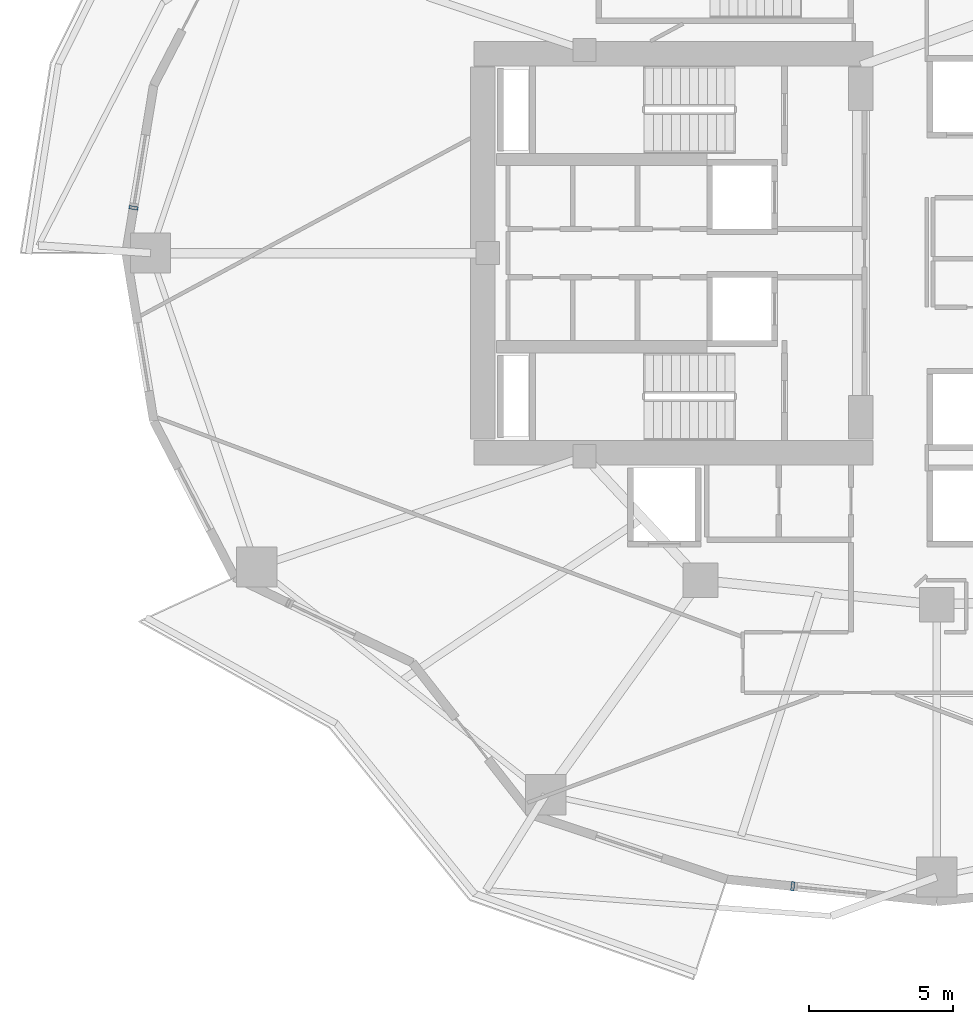
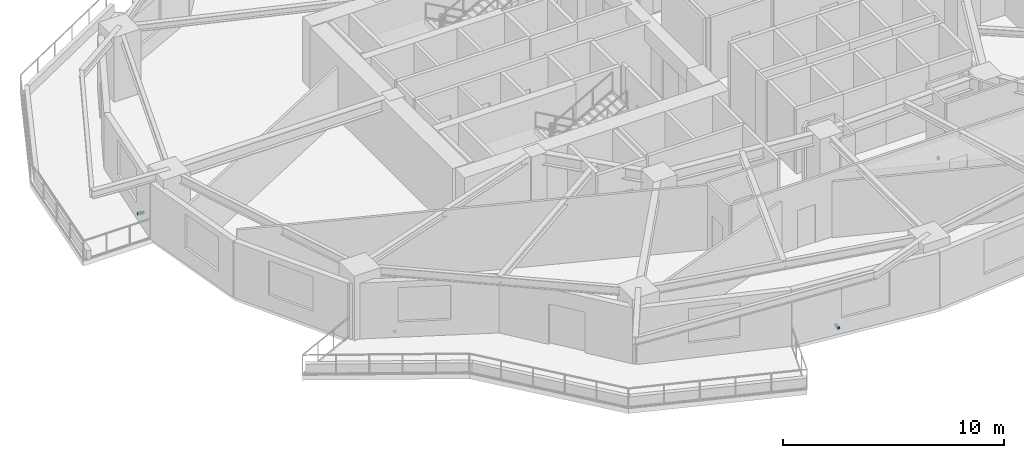
# One storey, part 8 of 16: 2 discrete accessories.
"""IFC4 building model written with IfcOpenShell, lengths in metres."""

from ifc_helpers import new_model, si_unit, direction, frame, origin, origin_2d, place, context, subcontext, project, spatial, rectangle, extrude, material, type_object, element, save


model = new_model("IFC4")

# Units and contexts
model_context = context("Model", 3, precision=1e-05, world=origin(), true_north=direction((0.0, 1.0)))
body_context = subcontext(model_context, "Body", "Model", "MODEL_VIEW")
ifc_project = project(units=[si_unit("LENGTHUNIT", "METRE"), si_unit("AREAUNIT", "SQUARE_METRE"), si_unit("VOLUMEUNIT", "CUBIC_METRE"), si_unit("PLANEANGLEUNIT", "RADIAN"), si_unit("MASSUNIT", "GRAM", prefix="KILO")], contexts=[model_context])

# Site, building, storey
site_placement = place(None, origin())
site = spatial("IfcSite", under=ifc_project, at=site_placement, CompositionType="ELEMENT")
building_placement = place(site_placement, origin())
building = spatial("IfcBuilding", under=site, at=building_placement, Name="Kolvaren Gate Tower and Convention Centre", CompositionType="ELEMENT")
storey_placement = place(building_placement, frame((0.0, 0.0, 34.199951171875)))
storey = spatial("IfcBuildingStorey", under=building, at=storey_placement, Name="L07", CompositionType="ELEMENT", Elevation=34.199951171875)

# Discrete accessories
ifc_material = material(Name="Anodized Architectural Aluminium Alloy 6063-T6", Category="aluminium")
discrete_accessory_type = type_object("IfcDiscreteAccessoryType", Name="ARCH-ACC-BRACKET-120", PredefinedType="BRACKET", material=ifc_material)
for number, where, z_axis, x_axis, name in (
    (1, (2.25830078125, 28.56982421875, 0.2900390625), (0.0, 0.0, 1.0), (0.162377123682, 0.986728772108, 0.0), "Ceramic Fin Wall Anchor Bracket FBK-L07-11"),
    (2, (25.133056640625, 5.02587890625, 0.2900390625), (0.0, 0.0, 1.0), (0.994498884311, -0.104747167526, 0.0), "Ceramic Fin Wall Anchor Bracket FBK-L07-17"),
):
    element("IfcDiscreteAccessory", number, at=place(storey_placement, frame(where, z_axis=z_axis, x_axis=x_axis)), inside=storey, type_object=discrete_accessory_type, Name=name, PredefinedType="BRACKET", context=body_context, shape_type="SweptSolid", body=[
        extrude(rectangle(XDim=0.1201171875, YDim=0.320068359375, at=origin_2d()), origin(), (0.0, 0.0, 1.0), 0.1201171875),
    ])

save(model, "model.ifc")
